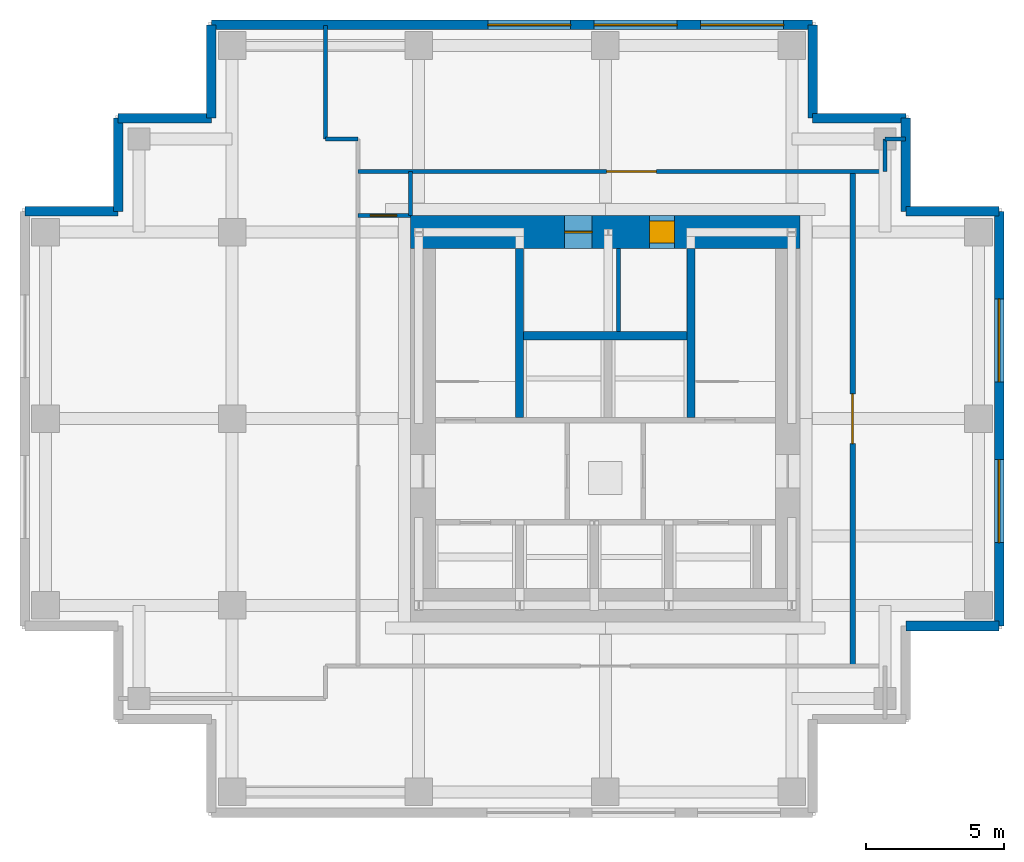
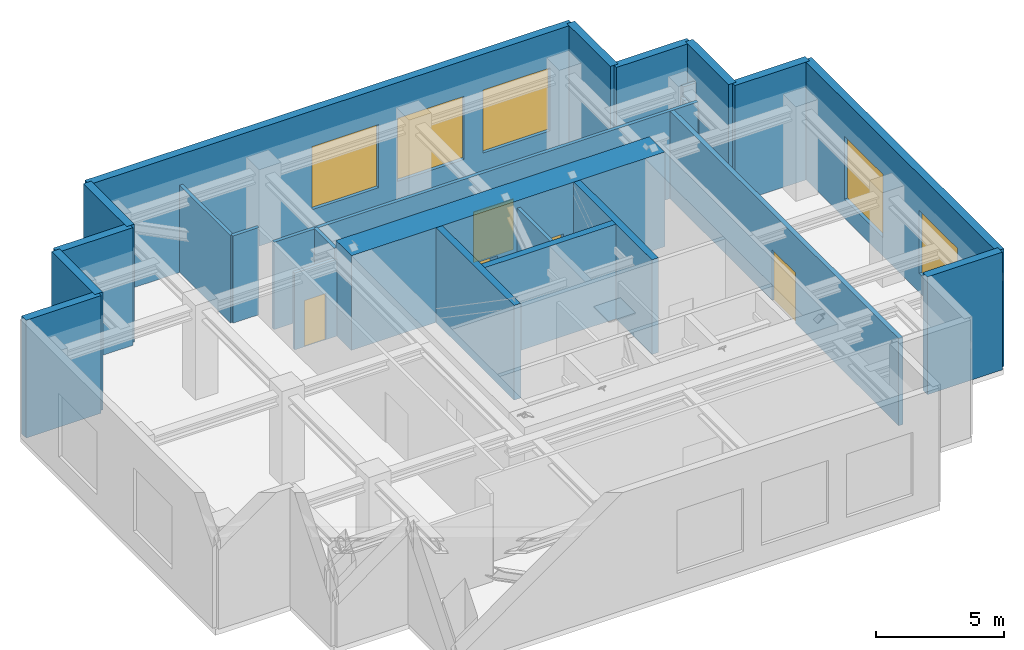
# One storey, part 3 of 4: 24 walls, 5 doors, 5 windows, 10 openings.
"""IFC4 building model written with IfcOpenShell, lengths in metres."""

from ifc_helpers import new_model, si_unit, direction, frame, frame_2d, origin, place, context, subcontext, project, spatial, rectangle, extrude, material, layer, layer_set, type_object, element, fill, save


model = new_model("IFC4")

# Units and contexts
model_context = context("Model", 3, precision=1e-05, world=origin(), true_north=direction((0.0, 1.0)))
body_context = subcontext(model_context, "Body", "Model", "MODEL_VIEW")
ifc_project = project(units=[si_unit("LENGTHUNIT", "METRE"), si_unit("AREAUNIT", "SQUARE_METRE"), si_unit("VOLUMEUNIT", "CUBIC_METRE"), si_unit("PLANEANGLEUNIT", "RADIAN"), si_unit("MASSUNIT", "GRAM", prefix="KILO")], contexts=[model_context])

# Site, building, storey
site_placement = place(None, origin())
site = spatial("IfcSite", under=ifc_project, at=site_placement, CompositionType="ELEMENT")
building_placement = place(site_placement, origin())
building = spatial("IfcBuilding", under=site, at=building_placement, Name="Nyansa Garden Tower", CompositionType="ELEMENT")
storey_placement = place(building_placement, frame((0.0, 0.0, 254.699951171875)))
storey = spatial("IfcBuildingStorey", under=building, at=storey_placement, Name="L69", CompositionType="ELEMENT", Elevation=254.699951171875)

# Walls
ifc_material_1 = material(Name="Concrete C70/85", Category="concrete")
ifc_layer_1 = layer(ifc_material_1, 0.300048828125)
ifc_layer_set_1 = layer_set([ifc_layer_1], Name="Core inner wall CI300")
wall_type_1 = type_object("IfcWallType", Name="Core inner wall CI300", PredefinedType="SHEAR", material=ifc_layer_set_1)
for number, where, z_axis, x_axis, name in (
    (1, (17.14990234375, 20.300048828125, 0.0), (0.0, 0.0, 1.0), (0.0, 1.0, 0.0), "Core inner wall L69"),
    (2, (23.35009765625, 20.300048828125, 0.0), (0.0, 0.0, 1.0), (0.0, 1.0, 0.0), "Core inner wall L69"),
):
    element("IfcWall", number, at=place(storey_placement, frame(where, z_axis=z_axis, x_axis=x_axis)), inside=storey, type_object=wall_type_1, Name=name, PredefinedType="SHEAR", context=body_context, shape_type="SweptSolid", body=[
        extrude(rectangle(XDim=6.099853515625, YDim=0.300048828125, at=frame_2d((3.0498046875, 0.0))), origin(), (0.0, 0.0, 1.0), 4.5),
    ])
wall_1_placement = place(storey_placement, frame((17.300048828125, 23.25, 0.0), z_axis=(0.0, 0.0, 1.0), x_axis=(1.0, 0.0, 0.0)))
element("IfcWall", 3, at=wall_1_placement, inside=storey, type_object=wall_type_1, Name="Core inner wall L69", PredefinedType="SHEAR", context=body_context, shape_type="SweptSolid", body=[
    extrude(rectangle(XDim=5.89990234375, YDim=0.300048828125, at=frame_2d((2.949951171875, 0.0))), origin(), (0.0, 0.0, 1.0), 4.5),
])

# Wall, openings, doors
ifc_material_2 = material(Name="Concrete C80/95", Category="concrete")
ifc_layer_2 = layer(ifc_material_2, 1.199951171875)
ifc_layer_set_2 = layer_set([ifc_layer_2], Name="Core wall CW1200")
wall_type_2 = type_object("IfcWallType", Name="Core wall CW1200", PredefinedType="SHEAR", material=ifc_layer_set_2)
wall_2_placement = place(storey_placement, frame((27.300048828125, 27.0, 0.0), z_axis=(0.0, 0.0, 1.0), x_axis=(-1.0, 0.0, 0.0)))
wall_2 = element("IfcWall", 4, at=wall_2_placement, inside=storey, type_object=wall_type_2, Name="Core wall N L69", PredefinedType="SHEAR", context=body_context, shape_type="SweptSolid", body=[
    extrude(rectangle(XDim=14.10009765625, YDim=1.199951171875, at=frame_2d((7.050048828125, 0.0))), origin(), (0.0, 0.0, 1.0), 4.5),
])
opening_1_placement = place(wall_2_placement, frame((4.550048828125, 0.0, 0.0)))
opening_1 = element("IfcOpeningElement", 5, at=opening_1_placement, cuts=wall_2, Name="Opening D15", PredefinedType="OPENING", context=body_context, shape_type="SweptSolid", body=[
    extrude(rectangle(XDim=0.89990234375, YDim=2.199951171875, at=frame_2d((0.449951171875, 1.10009765625))), frame((0.0, 0.60986328125, 0.0), z_axis=(0.0, -1.0, 0.0), x_axis=(1.0, 0.0, 0.0)), (0.0, 0.0, 1.0), 1.219970703125),
])
opening_2_placement = place(wall_2_placement, frame((7.52490234375, 0.0, 0.0)))
opening_2 = element("IfcOpeningElement", 6, at=opening_2_placement, cuts=wall_2, Name="Opening D07", PredefinedType="OPENING", context=body_context, shape_type="SweptSolid", body=[
    extrude(rectangle(XDim=1.0, YDim=2.199951171875, at=frame_2d((0.5, 1.10009765625))), frame((0.0, 0.60986328125, 0.0), z_axis=(0.0, -1.0, 0.0), x_axis=(1.0, 0.0, 0.0)), (0.0, 0.0, 1.0), 1.219970703125),
])
ifc_material_3 = material(Name="Timber flush door, 60 minute fire resisting, self-closing", Category="wood")
door_type_1 = type_object("IfcDoorType", Name="Core room door D15 900x2200", OperationType="SINGLE_SWING_LEFT", PredefinedType="DOOR", material=ifc_material_3)
door_1_placement = place(opening_1_placement, origin())
door_1 = element("IfcDoor", 7, at=door_1_placement, inside=storey, type_object=door_type_1, Name="Core room door", OperationType="SINGLE_SWING_LEFT", OverallHeight=2.199951171875, OverallWidth=0.89990234375, PredefinedType="DOOR", context=body_context, shape_type="SweptSolid", body=[
    extrude(rectangle(XDim=0.89990234375, YDim=2.199951171875, at=frame_2d((0.449951171875, 1.10009765625))), frame((0.0, 0.39990234375, 0.0), z_axis=(0.0, -1.0, 0.0), x_axis=(1.0, 0.0, 0.0)), (0.0, 0.0, 1.0), 0.800048828125),
])
fill(opening_1, door_1)
ifc_material_4 = material(Name="Steel door, 120 minute fire resisting", Category="steel")
door_type_2 = type_object("IfcDoorType", Name="Riser door D07 1000x2200", OperationType="SINGLE_SWING_LEFT", PredefinedType="DOOR", material=ifc_material_4)
door_2_placement = place(opening_2_placement, origin())
door_2 = element("IfcDoor", 8, at=door_2_placement, inside=storey, type_object=door_type_2, Name="Riser and refuse room door", OperationType="SINGLE_SWING_LEFT", OverallHeight=2.199951171875, OverallWidth=1.0, PredefinedType="DOOR", context=body_context, shape_type="SweptSolid", body=[
    extrude(rectangle(XDim=1.0, YDim=2.199951171875, at=frame_2d((0.5, 1.10009765625))), frame((0.0, 0.02490234375, 0.0), z_axis=(0.0, -1.0, 0.0), x_axis=(1.0, 0.0, 0.0)), (0.0, 0.0, 1.0), 0.050048828125),
])
fill(opening_2, door_2)

# Wall, opening, door
ifc_material_5 = material(Name="Concrete blockwork, plastered, 60 minute fire resisting", Category="masonry")
ifc_layer_3 = layer(ifc_material_5, 0.199951171875)
ifc_layer_set_3 = layer_set([ifc_layer_3], Name="Corridor wall FW200")
wall_type_3 = type_object("IfcWallType", Name="Corridor wall FW200", PredefinedType="PARTITIONING", material=ifc_layer_set_3)
wall_3_placement = place(storey_placement, frame((29.199951171875, 11.300048828125, 0.0), z_axis=(0.0, 0.0, 1.0), x_axis=(0.0, 1.0, 0.0)))
wall_3 = element("IfcWall", 9, at=wall_3_placement, inside=storey, type_object=wall_type_3, Name="Corridor wall", PredefinedType="PARTITIONING", context=body_context, shape_type="SweptSolid", body=[
    extrude(rectangle(XDim=17.89990234375, YDim=0.199951171875, at=frame_2d((8.949951171875, 0.0))), origin(), (0.0, 0.0, 1.0), 4.150146484375),
])
opening_3_placement = place(wall_3_placement, frame((8.050048828125, 0.0, 0.0)))
opening_3 = element("IfcOpeningElement", 10, at=opening_3_placement, cuts=wall_3, Name="Opening D09", PredefinedType="OPENING", context=body_context, shape_type="SweptSolid", body=[
    extrude(rectangle(XDim=1.800048828125, YDim=2.39990234375, at=frame_2d((0.89990234375, 1.199951171875))), frame((0.0, 0.10986328125, 0.0), z_axis=(0.0, -1.0, 0.0), x_axis=(1.0, 0.0, 0.0)), (0.0, 0.0, 1.0), 0.219970703125),
])
ifc_material_6 = material(Name="Steel door, 120 minute fire resisting", Category="steel")
door_type_3 = type_object("IfcDoorType", Name="Plant room door D09 1800x2400", OperationType="DOUBLE_DOOR_SINGLE_SWING", PredefinedType="DOOR", material=ifc_material_6)
door_3_placement = place(opening_3_placement, origin())
door_3 = element("IfcDoor", 11, at=door_3_placement, inside=storey, type_object=door_type_3, Name="Door L69-018", OperationType="DOUBLE_DOOR_SINGLE_SWING", OverallHeight=2.39990234375, OverallWidth=1.800048828125, PredefinedType="DOOR", context=body_context, shape_type="SweptSolid", body=[
    extrude(rectangle(XDim=1.800048828125, YDim=2.39990234375, at=frame_2d((0.89990234375, 1.199951171875))), frame((0.0, 0.02490234375, 0.0), z_axis=(0.0, -1.0, 0.0), x_axis=(1.0, 0.0, 0.0)), (0.0, 0.0, 1.0), 0.050048828125),
])
fill(opening_3, door_3)

# Walls
ifc_material_7 = material(Name="Blockwork, plastered both sides", Category="masonry")
ifc_layer_4 = layer(ifc_material_7, 0.14990234375)
ifc_layer_set_4 = layer_set([ifc_layer_4], Name="Partition PW150")
wall_type_4 = type_object("IfcWallType", Name="Partition PW150", PredefinedType="PARTITIONING", material=ifc_layer_set_4)
wall_4_placement = place(storey_placement, frame((20.72509765625, 23.39990234375, 0.0), z_axis=(0.0, 0.0, 1.0), x_axis=(0.0, 1.0, 0.0)))
element("IfcWall", 12, at=wall_4_placement, inside=storey, type_object=wall_type_4, Name="Partition", PredefinedType="PARTITIONING", context=body_context, shape_type="SweptSolid", body=[
    extrude(rectangle(XDim=3.0, YDim=0.14990234375, at=frame_2d((1.5, 0.0))), origin(), (0.0, 0.0, 1.0), 4.150146484375),
])
wall_5_placement = place(storey_placement, frame((10.125, 30.375, 0.0), z_axis=(0.0, 0.0, 1.0), x_axis=(0.0, 1.0, 0.0)))
element("IfcWall", 13, at=wall_5_placement, inside=storey, type_object=wall_type_4, Name="Partition", PredefinedType="PARTITIONING", context=body_context, shape_type="SweptSolid", body=[
    extrude(rectangle(XDim=4.10888671875, YDim=0.14990234375, at=frame_2d((2.054443359375, 0.0))), origin(), (0.0, 0.0, 1.0), 4.150146484375),
])
wall_6_placement = place(storey_placement, frame((10.125, 30.375, 0.0), z_axis=(0.0, 0.0, 1.0), x_axis=(1.0, 0.0, 0.0)))
element("IfcWall", 14, at=wall_6_placement, inside=storey, type_object=wall_type_4, Name="Partition", PredefinedType="PARTITIONING", context=body_context, shape_type="SweptSolid", body=[
    extrude(rectangle(XDim=1.175048828125, YDim=0.14990234375, at=frame_2d((0.58740234375, 0.0))), origin(), (0.0, 0.0, 1.0), 4.150146484375),
])

# Wall, opening, door
wall_7_placement = place(storey_placement, frame((11.300048828125, 27.60009765625, 0.0), z_axis=(0.0, 0.0, 1.0), x_axis=(1.0, 0.0, 0.0)))
wall_7 = element("IfcWall", 15, at=wall_7_placement, inside=storey, type_object=wall_type_4, Name="Partition", PredefinedType="PARTITIONING", context=body_context, shape_type="SweptSolid", body=[
    extrude(rectangle(XDim=1.89990234375, YDim=0.14990234375, at=frame_2d((0.949951171875, 0.0))), origin(), (0.0, 0.0, 1.0), 3.652099609375),
])
opening_4_placement = place(wall_7_placement, frame((0.449951171875, 0.0, 0.0)))
opening_4 = element("IfcOpeningElement", 16, at=opening_4_placement, cuts=wall_7, Name="Opening D01", PredefinedType="OPENING", context=body_context, shape_type="SweptSolid", body=[
    extrude(rectangle(XDim=0.949951171875, YDim=2.199951171875, at=frame_2d((0.47509765625, 1.10009765625))), frame((0.0, 0.0849609375, 0.0), z_axis=(0.0, -1.0, 0.0), x_axis=(1.0, 0.0, 0.0)), (0.0, 0.0, 1.0), 0.169921875),
])
ifc_material_8 = material(Name="Timber flush door, 30 minute fire resisting", Category="wood")
door_type_4 = type_object("IfcDoorType", Name="Bedroom door D01 950x2200", OperationType="SINGLE_SWING_LEFT", PredefinedType="DOOR", material=ifc_material_8)
door_4_placement = place(opening_4_placement, origin())
door_4 = element("IfcDoor", 17, at=door_4_placement, inside=storey, type_object=door_type_4, Name="Door L69-016", OperationType="SINGLE_SWING_LEFT", OverallHeight=2.199951171875, OverallWidth=0.949951171875, PredefinedType="DOOR", context=body_context, shape_type="SweptSolid", body=[
    extrude(rectangle(XDim=0.949951171875, YDim=2.199951171875, at=frame_2d((0.47509765625, 1.10009765625))), frame((0.0, 0.02490234375, 0.0), z_axis=(0.0, -1.0, 0.0), x_axis=(1.0, 0.0, 0.0)), (0.0, 0.0, 1.0), 0.050048828125),
])
fill(opening_4, door_4)

wall_8_placement = place(storey_placement, frame((11.300048828125, 29.199951171875, 0.0), z_axis=(0.0, 0.0, 1.0), x_axis=(1.0, 0.0, 0.0)))
wall_8 = element("IfcWall", 18, at=wall_8_placement, inside=storey, type_object=wall_type_4, Name="Partition", PredefinedType="PARTITIONING", context=body_context, shape_type="SweptSolid", body=[
    extrude(rectangle(XDim=19.074951171875, YDim=0.14990234375, at=frame_2d((9.53759765625, 0.0))), origin(), (0.0, 0.0, 1.0), 4.150146484375),
])
opening_5_placement = place(wall_8_placement, frame((9.0, 0.0, 0.0)))
opening_5 = element("IfcOpeningElement", 19, at=opening_5_placement, cuts=wall_8, Name="Opening D09", PredefinedType="OPENING", context=body_context, shape_type="SweptSolid", body=[
    extrude(rectangle(XDim=1.800048828125, YDim=2.39990234375, at=frame_2d((0.89990234375, 1.199951171875))), frame((0.0, 0.0849609375, 0.0), z_axis=(0.0, -1.0, 0.0), x_axis=(1.0, 0.0, 0.0)), (0.0, 0.0, 1.0), 0.169921875),
])
door_5_placement = place(opening_5_placement, origin())
door_5 = element("IfcDoor", 20, at=door_5_placement, inside=storey, type_object=door_type_3, Name="Door L69-020", OperationType="DOUBLE_DOOR_SINGLE_SWING", OverallHeight=2.39990234375, OverallWidth=1.800048828125, PredefinedType="DOOR", context=body_context, shape_type="SweptSolid", body=[
    extrude(rectangle(XDim=1.800048828125, YDim=2.39990234375, at=frame_2d((0.89990234375, 1.199951171875))), frame((0.0, 0.02490234375, 0.0), z_axis=(0.0, -1.0, 0.0), x_axis=(1.0, 0.0, 0.0)), (0.0, 0.0, 1.0), 0.050048828125),
])
fill(opening_5, door_5)

# Walls
wall_9_placement = place(storey_placement, frame((13.199951171875, 27.60009765625, 0.0), z_axis=(0.0, 0.0, 1.0), x_axis=(0.0, 1.0, 0.0)))
element("IfcWall", 21, at=wall_9_placement, inside=storey, type_object=wall_type_4, Name="Partition", PredefinedType="PARTITIONING", context=body_context, shape_type="SweptSolid", body=[
    extrude(rectangle(XDim=1.599853515625, YDim=0.14990234375, at=frame_2d((0.7998046875, 0.0))), origin(), (0.0, 0.0, 1.0), 4.150146484375),
])
wall_10_placement = place(storey_placement, frame((30.375, 29.199951171875, 0.0), z_axis=(0.0, 0.0, 1.0), x_axis=(0.0, 1.0, 0.0)))
element("IfcWall", 22, at=wall_10_placement, inside=storey, type_object=wall_type_4, Name="Partition", PredefinedType="PARTITIONING", context=body_context, shape_type="SweptSolid", body=[
    extrude(rectangle(XDim=1.175048828125, YDim=0.14990234375, at=frame_2d((0.58740234375, 0.0))), origin(), (0.0, 0.0, 1.0), 3.652099609375),
])
wall_11_placement = place(storey_placement, frame((30.375, 30.375, 0.0), z_axis=(0.0, 0.0, 1.0), x_axis=(1.0, 0.0, 0.0)))
element("IfcWall", 23, at=wall_11_placement, inside=storey, type_object=wall_type_4, Name="Partition", PredefinedType="PARTITIONING", context=body_context, shape_type="SweptSolid", body=[
    extrude(rectangle(XDim=0.73388671875, YDim=0.14990234375, at=frame_2d((0.366943359375, 0.0))), origin(), (0.0, 0.0, 1.0), 4.150146484375),
])

# Wall, openings, windows
ifc_material_9 = material(Name="Turquoise and ultramarine glazed tile on concrete blockwork", Category="masonry")
ifc_layer_5 = layer(ifc_material_9, 0.35009765625)
ifc_layer_set_5 = layer_set([ifc_layer_5], Name="Tiled plant wall PW350")
wall_type_5 = type_object("IfcWallType", Name="Tiled plant wall PW350", PredefinedType="SOLIDWALL", material=ifc_layer_set_5)
wall_12_placement = place(storey_placement, frame((34.5, 12.75, 0.0), z_axis=(0.0, 0.0, 1.0), x_axis=(0.0, 1.0, 0.0)))
wall_12 = element("IfcWall", 24, at=wall_12_placement, inside=storey, type_object=wall_type_5, Name="Tiled plant wall L69", PredefinedType="SOLIDWALL", context=body_context, shape_type="SweptSolid", body=[
    extrude(rectangle(XDim=15.0, YDim=0.35009765625, at=frame_2d((7.5, 0.0))), origin(), (0.0, 0.0, 1.0), 5.60009765625),
])
opening_6_placement = place(wall_12_placement, frame((3.0166015625, 0.0, 0.89990234375)))
opening_6 = element("IfcOpeningElement", 25, at=opening_6_placement, cuts=wall_12, Name="Opening W5", PredefinedType="OPENING", context=body_context, shape_type="SweptSolid", body=[
    extrude(rectangle(XDim=3.0, YDim=3.0, at=frame_2d((1.5, 1.5))), frame((0.0, 0.18505859375, 0.0), z_axis=(0.0, -1.0, 0.0), x_axis=(1.0, 0.0, 0.0)), (0.0, 0.0, 1.0), 0.3701171875),
])
opening_7_placement = place(wall_12_placement, frame((8.833251953125, 0.0, 0.89990234375)))
opening_7 = element("IfcOpeningElement", 26, at=opening_7_placement, cuts=wall_12, Name="Opening W5", PredefinedType="OPENING", context=body_context, shape_type="SweptSolid", body=[
    extrude(rectangle(XDim=3.0, YDim=3.0, at=frame_2d((1.5, 1.5))), frame((0.0, 0.18505859375, 0.0), z_axis=(0.0, -1.0, 0.0), x_axis=(1.0, 0.0, 0.0)), (0.0, 0.0, 1.0), 0.3701171875),
])
ifc_material_10 = material(Name="Black aluminium storm louvre, bird mesh", Category="aluminium")
window_type = type_object("IfcWindowType", Name="Plant louvre W5 3000x3000", PartitioningType="SINGLE_PANEL", PredefinedType="WINDOW", material=ifc_material_10)
window_1_placement = place(opening_6_placement, origin())
window_1 = element("IfcWindow", 27, at=window_1_placement, inside=storey, type_object=window_type, Name="Louvre L69", OverallHeight=3.0, OverallWidth=3.0, PartitioningType="SINGLE_PANEL", PredefinedType="WINDOW", context=body_context, shape_type="SweptSolid", body=[
    extrude(rectangle(XDim=3.0, YDim=3.0, at=frame_2d((1.5, 1.5))), frame((0.0, 0.030029296875, 0.0), z_axis=(0.0, -1.0, 0.0), x_axis=(1.0, 0.0, 0.0)), (0.0, 0.0, 1.0), 0.06005859375),
])
fill(opening_6, window_1)
window_2_placement = place(opening_7_placement, origin())
window_2 = element("IfcWindow", 28, at=window_2_placement, inside=storey, type_object=window_type, Name="Louvre L69", OverallHeight=3.0, OverallWidth=3.0, PartitioningType="SINGLE_PANEL", PredefinedType="WINDOW", context=body_context, shape_type="SweptSolid", body=[
    extrude(rectangle(XDim=3.0, YDim=3.0, at=frame_2d((1.5, 1.5))), frame((0.0, 0.030029296875, 0.0), z_axis=(0.0, -1.0, 0.0), x_axis=(1.0, 0.0, 0.0)), (0.0, 0.0, 1.0), 0.06005859375),
])
fill(opening_7, window_2)

# Walls
for number, where, z_axis, x_axis, name in (
    (29, (34.5, 27.75, 0.0), (0.0, 0.0, 1.0), (-1.0, 0.0, 0.0), "Tiled plant wall L69"),
    (30, (31.125, 27.75, 0.0), (0.0, 0.0, 1.0), (0.0, 1.0, 0.0), "Tiled plant wall L69"),
    (31, (31.125, 31.125, 0.0), (0.0, 0.0, 1.0), (-1.0, 0.0, 0.0), "Tiled plant wall L69"),
    (32, (27.75, 31.125, 0.0), (0.0, 0.0, 1.0), (0.0, 1.0, 0.0), "Tiled plant wall L69"),
):
    element("IfcWall", number, at=place(storey_placement, frame(where, z_axis=z_axis, x_axis=x_axis)), inside=storey, type_object=wall_type_5, Name=name, PredefinedType="SOLIDWALL", context=body_context, shape_type="SweptSolid", body=[
        extrude(rectangle(XDim=3.375, YDim=0.35009765625, at=frame_2d((1.6875, 0.0))), origin(), (0.0, 0.0, 1.0), 5.60009765625),
    ])

# Wall, openings, windows
wall_13_placement = place(storey_placement, frame((27.75, 34.5, 0.0), z_axis=(0.0, 0.0, 1.0), x_axis=(-1.0, 0.0, 0.0)))
wall_13 = element("IfcWall", 33, at=wall_13_placement, inside=storey, type_object=wall_type_5, Name="Tiled plant wall L69", PredefinedType="SOLIDWALL", context=body_context, shape_type="SweptSolid", body=[
    extrude(rectangle(XDim=21.75, YDim=0.35009765625, at=frame_2d((10.875, 0.0))), origin(), (0.0, 0.0, 1.0), 5.60009765625),
])
opening_8_placement = place(wall_13_placement, frame((1.050048828125, 0.0, 0.89990234375)))
opening_8 = element("IfcOpeningElement", 34, at=opening_8_placement, cuts=wall_13, Name="Opening W5", PredefinedType="OPENING", context=body_context, shape_type="SweptSolid", body=[
    extrude(rectangle(XDim=3.0, YDim=3.0, at=frame_2d((1.5, 1.5))), frame((0.0, 0.18505859375, 0.0), z_axis=(0.0, -1.0, 0.0), x_axis=(1.0, 0.0, 0.0)), (0.0, 0.0, 1.0), 0.3701171875),
])
opening_9_placement = place(wall_13_placement, frame((4.89990234375, 0.0, 0.89990234375)))
opening_9 = element("IfcOpeningElement", 35, at=opening_9_placement, cuts=wall_13, Name="Opening W5", PredefinedType="OPENING", context=body_context, shape_type="SweptSolid", body=[
    extrude(rectangle(XDim=3.0, YDim=3.0, at=frame_2d((1.5, 1.5))), frame((0.0, 0.18505859375, 0.0), z_axis=(0.0, -1.0, 0.0), x_axis=(1.0, 0.0, 0.0)), (0.0, 0.0, 1.0), 0.3701171875),
])
opening_10_placement = place(wall_13_placement, frame((8.75, 0.0, 0.89990234375)))
opening_10 = element("IfcOpeningElement", 36, at=opening_10_placement, cuts=wall_13, Name="Opening W5", PredefinedType="OPENING", context=body_context, shape_type="SweptSolid", body=[
    extrude(rectangle(XDim=3.0, YDim=3.0, at=frame_2d((1.5, 1.5))), frame((0.0, 0.18505859375, 0.0), z_axis=(0.0, -1.0, 0.0), x_axis=(1.0, 0.0, 0.0)), (0.0, 0.0, 1.0), 0.3701171875),
])
window_3_placement = place(opening_8_placement, origin())
window_3 = element("IfcWindow", 37, at=window_3_placement, inside=storey, type_object=window_type, Name="Louvre L69", OverallHeight=3.0, OverallWidth=3.0, PartitioningType="SINGLE_PANEL", PredefinedType="WINDOW", context=body_context, shape_type="SweptSolid", body=[
    extrude(rectangle(XDim=3.0, YDim=3.0, at=frame_2d((1.5, 1.5))), frame((0.0, 0.030029296875, 0.0), z_axis=(0.0, -1.0, 0.0), x_axis=(1.0, 0.0, 0.0)), (0.0, 0.0, 1.0), 0.06005859375),
])
fill(opening_8, window_3)
window_4_placement = place(opening_9_placement, origin())
window_4 = element("IfcWindow", 38, at=window_4_placement, inside=storey, type_object=window_type, Name="Louvre L69", OverallHeight=3.0, OverallWidth=3.0, PartitioningType="SINGLE_PANEL", PredefinedType="WINDOW", context=body_context, shape_type="SweptSolid", body=[
    extrude(rectangle(XDim=3.0, YDim=3.0, at=frame_2d((1.5, 1.5))), frame((0.0, 0.030029296875, 0.0), z_axis=(0.0, -1.0, 0.0), x_axis=(1.0, 0.0, 0.0)), (0.0, 0.0, 1.0), 0.06005859375),
])
fill(opening_9, window_4)
window_5_placement = place(opening_10_placement, origin())
window_5 = element("IfcWindow", 39, at=window_5_placement, inside=storey, type_object=window_type, Name="Louvre L69", OverallHeight=3.0, OverallWidth=3.0, PartitioningType="SINGLE_PANEL", PredefinedType="WINDOW", context=body_context, shape_type="SweptSolid", body=[
    extrude(rectangle(XDim=3.0, YDim=3.0, at=frame_2d((1.5, 1.5))), frame((0.0, 0.030029296875, 0.0), z_axis=(0.0, -1.0, 0.0), x_axis=(1.0, 0.0, 0.0)), (0.0, 0.0, 1.0), 0.06005859375),
])
fill(opening_10, window_5)

# Walls
for number, where, z_axis, x_axis, name in (
    (40, (6.0, 34.5, 0.0), (0.0, 0.0, 1.0), (0.0, -1.0, 0.0), "Tiled plant wall L69"),
    (41, (6.0, 31.125, 0.0), (0.0, 0.0, 1.0), (-1.0, 0.0, 0.0), "Tiled plant wall L69"),
    (42, (2.625, 31.125, 0.0), (0.0, 0.0, 1.0), (0.0, -1.0, 0.0), "Tiled plant wall L69"),
    (43, (2.625, 27.75, 0.0), (0.0, 0.0, 1.0), (-1.0, 0.0, 0.0), "Tiled plant wall L69"),
    (44, (31.125, 12.75, 0.0), (0.0, 0.0, 1.0), (1.0, 0.0, 0.0), "Tiled plant wall L69"),
):
    element("IfcWall", number, at=place(storey_placement, frame(where, z_axis=z_axis, x_axis=x_axis)), inside=storey, type_object=wall_type_5, Name=name, PredefinedType="SOLIDWALL", context=body_context, shape_type="SweptSolid", body=[
        extrude(rectangle(XDim=3.375, YDim=0.35009765625, at=frame_2d((1.6875, 0.0))), origin(), (0.0, 0.0, 1.0), 5.60009765625),
    ])

save(model, "model.ifc")
